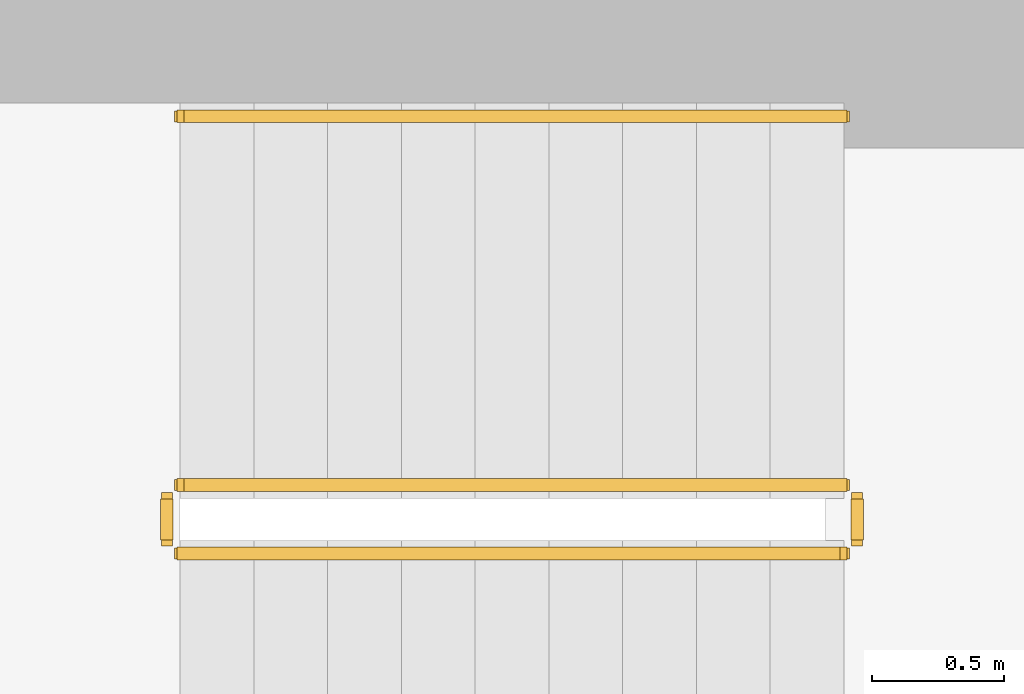
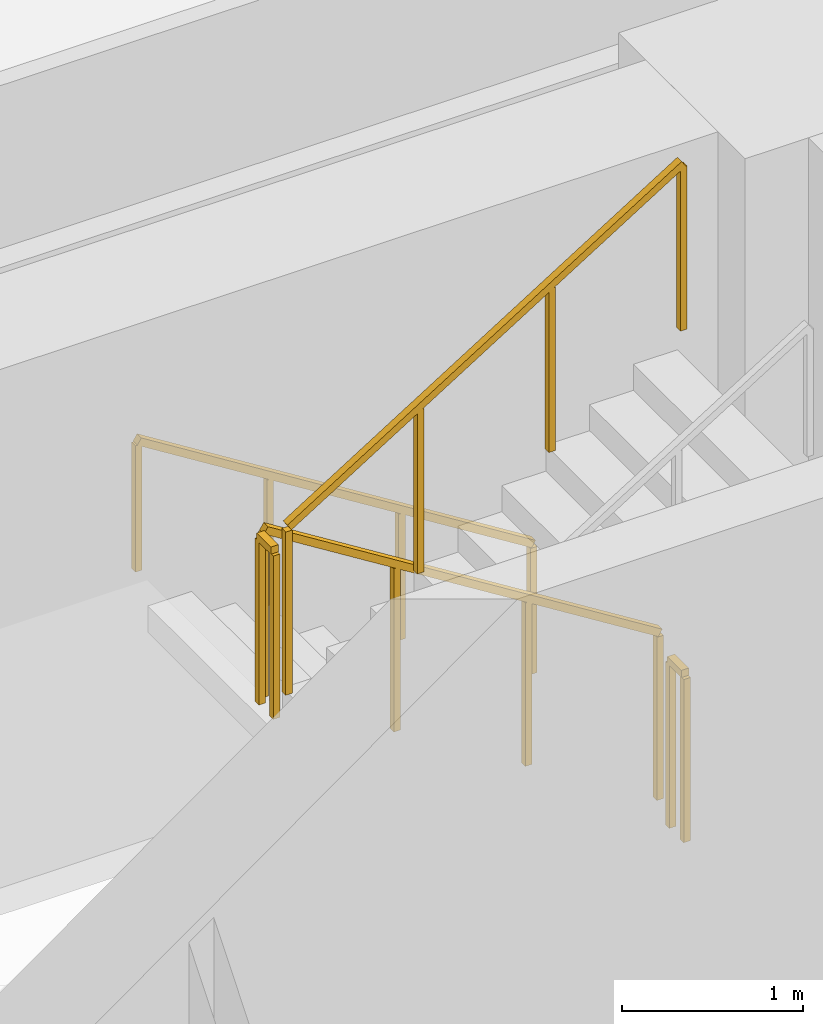
# One storey, part 13 of 15: 5 railings.
"""IFC4 building model written with IfcOpenShell, lengths in metres."""

from ifc_helpers import new_model, si_unit, direction, frame, origin, origin_2d, place, context, subcontext, project, spatial, rectangle, extrude, material, type_object, element, save


model = new_model("IFC4")

# Units and contexts
model_context = context("Model", 3, precision=1e-05, world=origin(), true_north=direction((0.0, 1.0)))
body_context = subcontext(model_context, "Body", "Model", "MODEL_VIEW")
ifc_project = project(units=[si_unit("LENGTHUNIT", "METRE"), si_unit("AREAUNIT", "SQUARE_METRE"), si_unit("VOLUMEUNIT", "CUBIC_METRE"), si_unit("PLANEANGLEUNIT", "RADIAN"), si_unit("MASSUNIT", "GRAM", prefix="KILO")], contexts=[model_context])

# Site, building, storey
site_placement = place(None, origin())
site = spatial("IfcSite", under=ifc_project, at=site_placement, CompositionType="ELEMENT")
building_placement = place(site_placement, origin())
building = spatial("IfcBuilding", under=site, at=building_placement, Name="Zarnavel Station Tower", CompositionType="ELEMENT")
storey_placement = place(building_placement, frame((0.0, 0.0, 29.0)))
storey = spatial("IfcBuildingStorey", under=building, at=storey_placement, Name="L07", CompositionType="ELEMENT", Elevation=29.0)

# Railings
ifc_material_1 = material(Name="Painted Steel S355J2 Balustrade", Category="steel")
railing_type_1 = type_object("IfcRailingType", Name="GR_INT_1150", PredefinedType="GUARDRAIL", material=ifc_material_1)
railing_1_placement = place(storey_placement, frame((19.47998046875, 35.3701171875, 0.175048828125)))
element("IfcRailing", 1, at=railing_1_placement, inside=storey, type_object=railing_type_1, Name="L07 ST1 stair guard 1", PredefinedType="GUARDRAIL", context=body_context, shape_type="SweptSolid", body=[
    extrude(rectangle(XDim=0.048095703125, YDim=0.048095703125, at=origin_2d()), frame((-0.001708984375, 0.0, 1.126953125), z_axis=(-0.848007534815, 0.0, 0.529984170421), x_axis=(0.0, -1.0, 0.0)), (0.0, 0.0, 1.0), 2.9677734375),
    extrude(rectangle(XDim=0.0419921875, YDim=0.0419921875, at=origin_2d()), origin(), (0.0, 0.0, 1.0), 1.101806640625),
    extrude(rectangle(XDim=0.0419921875, YDim=0.0419921875, at=origin_2d()), frame((-0.840087890625, 0.0, 0.52490234375)), (0.0, 0.0, 1.0), 1.101806640625),
    extrude(rectangle(XDim=0.0419921875, YDim=0.0419921875, at=origin_2d()), frame((-1.679931640625, 0.0, 1.050048828125)), (0.0, 0.0, 1.0), 1.101806640625),
    extrude(rectangle(XDim=0.0419921875, YDim=0.0419921875, at=origin_2d()), frame((-2.52001953125, 0.0, 1.574951171875)), (0.0, 0.0, 1.0), 1.101806640625),
])
railing_2_placement = place(storey_placement, frame((16.909912109375, 35.320068359375, 1.75)))
element("IfcRailing", 2, at=railing_2_placement, inside=storey, type_object=railing_type_1, Name="L07 ST1 stair guard 2", PredefinedType="GUARDRAIL", context=body_context, shape_type="SweptSolid", body=[
    extrude(rectangle(XDim=0.048095703125, YDim=0.048095703125, at=origin_2d()), frame((0.0, -0.001953125, 1.1259765625), z_axis=(0.0, -1.0, 0.0), x_axis=(1.0, 0.0, 0.0)), (0.0, 0.0, 1.0), 0.15625),
    extrude(rectangle(XDim=0.0419921875, YDim=0.0419921875, at=origin_2d()), origin(), (0.0, 0.0, 1.0), 1.101806640625),
    extrude(rectangle(XDim=0.0419921875, YDim=0.0419921875, at=origin_2d()), frame((0.0, -0.16015625, 0.0)), (0.0, 0.0, 1.0), 1.101806640625),
])
railing_3_placement = place(storey_placement, frame((16.9599609375, 35.110107421875, 1.925048828125)))
element("IfcRailing", 3, at=railing_3_placement, inside=storey, type_object=railing_type_1, Name="L07 ST1 stair guard 3", PredefinedType="GUARDRAIL", context=body_context, shape_type="SweptSolid", body=[
    extrude(rectangle(XDim=0.048095703125, YDim=0.048095703125, at=origin_2d()), frame((0.001708984375, 0.0, 1.126953125), z_axis=(0.848007534815, 0.0, 0.529984170421), x_axis=(0.0, 1.0, 0.0)), (0.0, 0.0, 1.0), 2.9677734375),
    extrude(rectangle(XDim=0.0419921875, YDim=0.0419921875, at=origin_2d()), origin(), (0.0, 0.0, 1.0), 1.101806640625),
    extrude(rectangle(XDim=0.0419921875, YDim=0.0419921875, at=origin_2d()), frame((0.840087890625, 0.0, 0.52490234375)), (0.0, 0.0, 1.0), 1.101806640625),
    extrude(rectangle(XDim=0.0419921875, YDim=0.0419921875, at=origin_2d()), frame((1.679931640625, 0.0, 1.050048828125)), (0.0, 0.0, 1.0), 1.101806640625),
    extrude(rectangle(XDim=0.0419921875, YDim=0.0419921875, at=origin_2d()), frame((2.52001953125, 0.0, 1.574951171875)), (0.0, 0.0, 1.0), 1.101806640625),
])
railing_4_placement = place(storey_placement, frame((19.530029296875, 35.320068359375, 0.0)))
element("IfcRailing", 4, at=railing_4_placement, inside=storey, type_object=railing_type_1, Name="L07 ST1 stair guard 4", PredefinedType="GUARDRAIL", context=body_context, shape_type="SweptSolid", body=[
    extrude(rectangle(XDim=0.048095703125, YDim=0.048095703125, at=origin_2d()), frame((0.0, -0.001953125, 1.1259765625), z_axis=(0.0, -1.0, 0.0), x_axis=(1.0, 0.0, 0.0)), (0.0, 0.0, 1.0), 0.15625),
    extrude(rectangle(XDim=0.0419921875, YDim=0.0419921875, at=origin_2d()), origin(), (0.0, 0.0, 1.0), 1.101806640625),
    extrude(rectangle(XDim=0.0419921875, YDim=0.0419921875, at=origin_2d()), frame((0.0, -0.16015625, 0.0)), (0.0, 0.0, 1.0), 1.101806640625),
])
ifc_material_2 = material(Name="Brushed Stainless Steel S355J2 Handrail", Category="steel")
railing_type_2 = type_object("IfcRailingType", Name="HR_STAIR_900", PredefinedType="HANDRAIL", material=ifc_material_2)
railing_5_placement = place(storey_placement, frame((19.47998046875, 36.77001953125, 0.175048828125)))
element("IfcRailing", 5, at=railing_5_placement, inside=storey, type_object=railing_type_2, Name="L07 ST1 stair handrail 1", PredefinedType="HANDRAIL", context=body_context, shape_type="SweptSolid", body=[
    extrude(rectangle(XDim=0.048095703125, YDim=0.048095703125, at=origin_2d()), frame((-0.001708984375, 0.0, 0.876953125), z_axis=(-0.848007534815, 0.0, 0.529984170421), x_axis=(0.0, -1.0, 0.0)), (0.0, 0.0, 1.0), 2.9677734375),
    extrude(rectangle(XDim=0.0419921875, YDim=0.0419921875, at=origin_2d()), origin(), (0.0, 0.0, 1.0), 0.851806640625),
    extrude(rectangle(XDim=0.0419921875, YDim=0.0419921875, at=origin_2d()), frame((-0.840087890625, 0.0, 0.52490234375)), (0.0, 0.0, 1.0), 0.851806640625),
    extrude(rectangle(XDim=0.0419921875, YDim=0.0419921875, at=origin_2d()), frame((-1.679931640625, 0.0, 1.050048828125)), (0.0, 0.0, 1.0), 0.851806640625),
    extrude(rectangle(XDim=0.0419921875, YDim=0.0419921875, at=origin_2d()), frame((-2.52001953125, 0.0, 1.574951171875)), (0.0, 0.0, 1.0), 0.851806640625),
])

save(model, "model.ifc")
